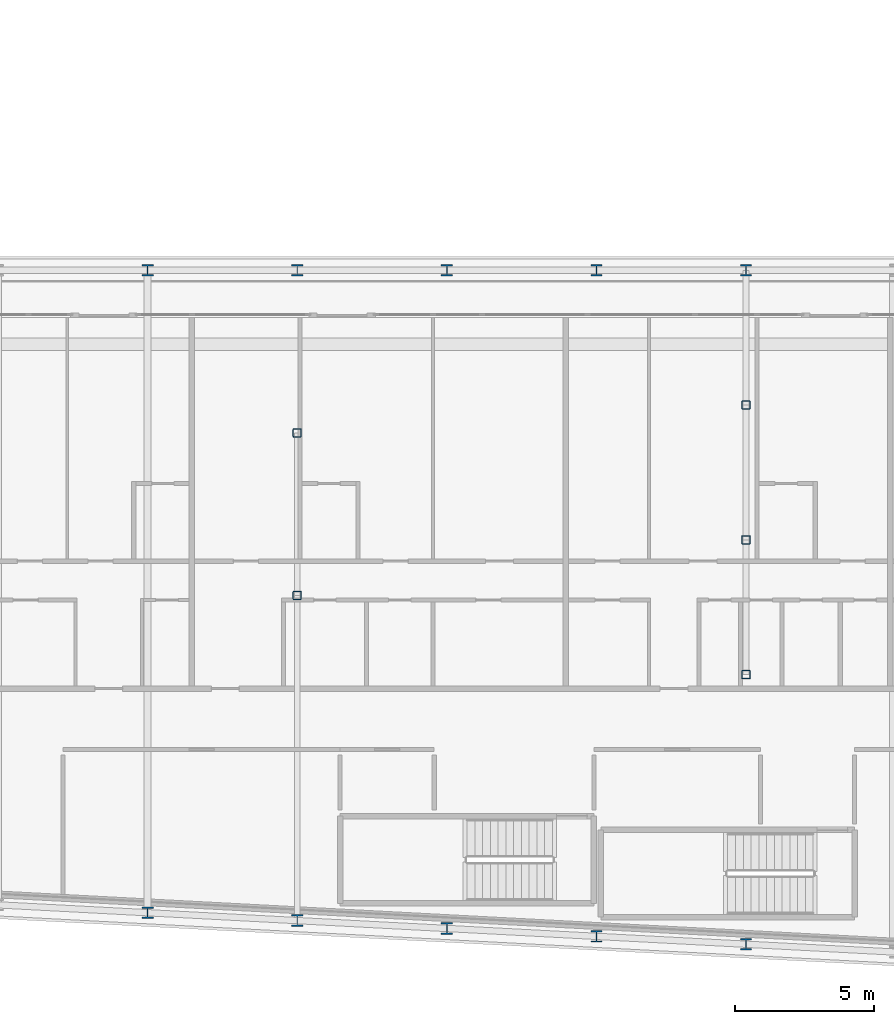
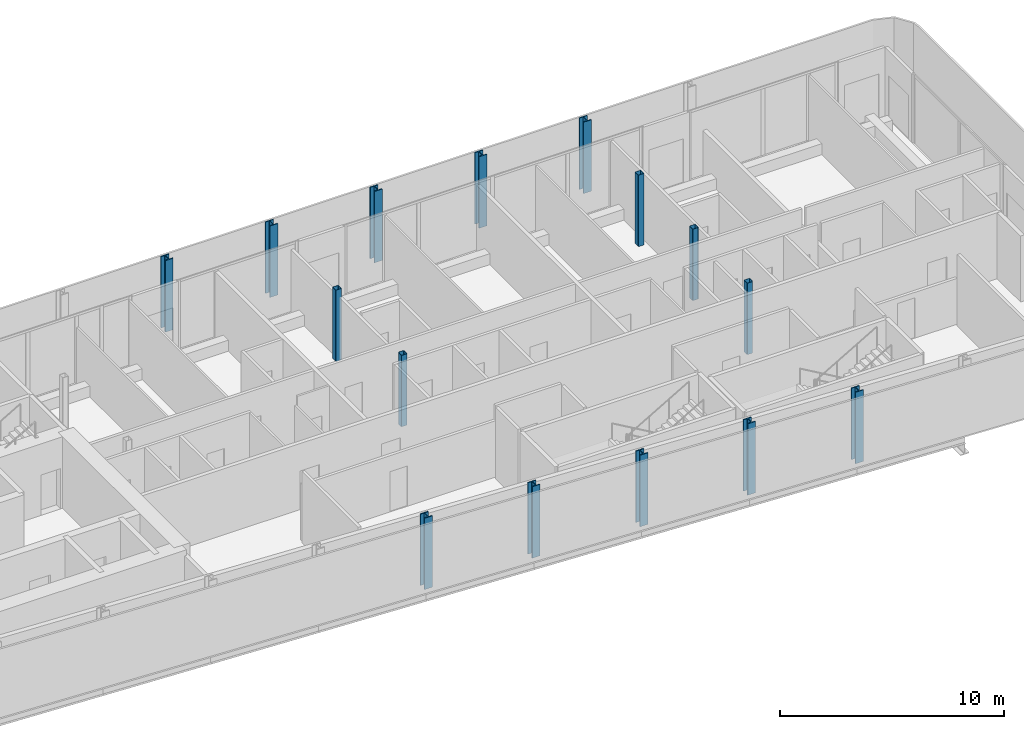
# One storey, part 2 of 29: 15 columns.
"""IFC4 building model written with IfcOpenShell, lengths in metres."""

import ifcopenshell
import ifcopenshell.guid

model = None  # the IFC model being written
_history = None  # IfcOwnerHistory: only IFC2X3 demands one
_inside = {}  # id of a spatial element -> (the spatial element, [elements in it])
_under = {}  # id of a project, library or spatial element -> (it, [spatial elements below it])
_declared = {}  # id of a project -> (the project, [libraries it declares])
_typed = {}  # id of a type object -> (the type object, [elements of that type])
_made_of = {}  # id of a material, layer set ... -> (it, [elements and type objects made of it])


def new_model(schema):
    """Start an empty IFC model of exactly this schema.

    Asked for "IFC4X3", IfcOpenShell would pick the latest addendum, in which some entities
    have other attributes; the version numbers below select the first issue.
    IFC2X3 requires an IfcOwnerHistory on every rooted entity: one is made here for all.
    """
    global model, _history
    if schema == "IFC4X3":
        model = ifcopenshell.file(schema_version=(4, 3, 0, 0))
    else:
        model = ifcopenshell.file(schema=schema)
    _inside.clear()
    _under.clear()
    _declared.clear()
    _typed.clear()
    _made_of.clear()
    _history = None
    if model.schema == "IFC2X3":
        org = make("IfcOrganization", Name="unknown")
        user = make(
            "IfcPersonAndOrganization",
            ThePerson=make("IfcPerson", FamilyName="unknown"),
            TheOrganization=org,
        )
        app = make(
            "IfcApplication",
            ApplicationDeveloper=org,
            Version="unknown",
            ApplicationFullName="unknown",
            ApplicationIdentifier="unknown",
        )
        _history = make(
            "IfcOwnerHistory",
            OwningUser=user,
            OwningApplication=app,
            ChangeAction="ADDED",
            CreationDate=0,
        )
    return model


def make(cls, **values):
    """One entity of the class cls with the attributes given. An attribute that is None is left unset."""
    return model.create_entity(
        cls, **{name: value for name, value in values.items() if value is not None}
    )


def rooted(cls, **values):
    """An entity with a GlobalId (a new one), such as an element, a storey or a relation."""
    return make(cls, GlobalId=ifcopenshell.guid.new(), OwnerHistory=_history, **values)


def si_unit(unit_type, name, prefix=None):
    """IfcSIUnit, for example si_unit("LENGTHUNIT", "METRE", prefix="MILLI")."""
    return make("IfcSIUnit", UnitType=unit_type, Prefix=prefix, Name=name)


def assignment(units):
    """IfcUnitAssignment: the units of a project."""
    return None if units is None else make("IfcUnitAssignment", Units=units)


def point(xyz):
    """IfcCartesianPoint."""
    return None if xyz is None else make("IfcCartesianPoint", Coordinates=xyz)


def direction(xyz):
    """IfcDirection."""
    return None if xyz is None else make("IfcDirection", DirectionRatios=xyz)


def frame(location, z_axis=None, x_axis=None):
    """IfcAxis2Placement3D, a coordinate frame: its origin and axes. An axis left out is left unset."""
    return make(
        "IfcAxis2Placement3D",
        Location=point(location),
        Axis=direction(z_axis),
        RefDirection=direction(x_axis),
    )


def frame_2d(location, x_axis=None):
    """IfcAxis2Placement2D, a coordinate frame in the plane: its origin and x axis."""
    return make(
        "IfcAxis2Placement2D", Location=point(location), RefDirection=direction(x_axis)
    )


def origin():
    """The frame at (0, 0, 0) with its axes left unset."""
    return frame((0.0, 0.0, 0.0))


def origin_2d():
    """The frame at (0, 0) in the plane with its x axis left unset."""
    return frame_2d((0.0, 0.0))


def place(relative_to, where):
    """IfcLocalPlacement: puts the frame where relative to a parent placement (None: the world)."""
    return make(
        "IfcLocalPlacement", PlacementRelTo=relative_to, RelativePlacement=where
    )


def context(
    kind, dimensions, precision=None, world=None, true_north=None, identifier=None
):
    """IfcGeometricRepresentationContext, for example the 3D "Model" context."""
    return make(
        "IfcGeometricRepresentationContext",
        ContextIdentifier=identifier,
        ContextType=kind,
        CoordinateSpaceDimension=dimensions,
        Precision=precision,
        WorldCoordinateSystem=world,
        TrueNorth=true_north,
    )


def subcontext(parent, identifier, kind, view, scale=None):
    """IfcGeometricRepresentationSubContext, for example "Body" below "Model"."""
    return make(
        "IfcGeometricRepresentationSubContext",
        ContextIdentifier=identifier,
        ContextType=kind,
        ParentContext=parent,
        TargetScale=scale,
        TargetView=view,
    )


def project(units=None, contexts=None):
    """IfcProject with its units and contexts."""
    return rooted(
        "IfcProject",
        Name="project",
        RepresentationContexts=contexts,
        UnitsInContext=assignment(units),
    )


def spatial(cls, under=None, at=None, **own):
    """A site, building, storey or space (cls), placed at a placement, below another one or the project."""
    s = rooted(cls, ObjectPlacement=at, **own)
    if under is not None:
        _under.setdefault(under.id(), (under, []))[1].append(s)
    return s


def profile(cls, at=None, kind="AREA", **sizes):
    """A parametric profile (cls). Its sizes go by their IFC names, for example OverallWidth=200.0."""
    return make(cls, ProfileType=kind, Position=at, **sizes)


def hollow_rectangle(**sizes):
    """IfcRectangleHollowProfileDef."""
    return profile("IfcRectangleHollowProfileDef", **sizes)


def i_section(**sizes):
    """IfcIShapeProfileDef."""
    return profile("IfcIShapeProfileDef", **sizes)


def extrude(swept, where, along, depth):
    """IfcExtrudedAreaSolid: the profile swept, set in the frame where, extruded along a direction by depth."""
    return make(
        "IfcExtrudedAreaSolid",
        SweptArea=swept,
        Position=where,
        ExtrudedDirection=direction(along),
        Depth=depth,
    )


def shape(context_of_items, identifier, shape_type, items):
    """IfcShapeRepresentation: the items that make up one representation, for example the "Body"."""
    return make(
        "IfcShapeRepresentation",
        ContextOfItems=context_of_items,
        RepresentationIdentifier=identifier,
        RepresentationType=shape_type,
        Items=items,
    )


def material(Name=None, Category=None):
    """IfcMaterial."""
    return make("IfcMaterial", Name=Name, Category=Category)


def material_profile(
    of_material, cross_section, Name=None, Category=None, Priority=None
):
    """IfcMaterialProfile: a cross section and its material."""
    return make(
        "IfcMaterialProfile",
        Name=Name,
        Material=of_material,
        Profile=cross_section,
        Priority=Priority,
        Category=Category,
    )


def profile_set(profiles, Name=None, composite=None):
    """IfcMaterialProfileSet."""
    return make(
        "IfcMaterialProfileSet",
        Name=Name,
        MaterialProfiles=profiles,
        CompositeProfile=composite,
    )


def made_of(thing, what):
    """Note that an element or type object is made of a material, layer set ...; save() writes the relation."""
    if what is not None:
        _made_of.setdefault(what.id(), (what, []))[1].append(thing)
    return thing


def type_object(cls, material=None, **own):
    """A type object (cls), such as IfcWallType, which elements share."""
    return made_of(rooted(cls, **own), material)


def element(
    cls,
    number,
    at=None,
    inside=None,
    cuts=None,
    type_object=None,
    material=None,
    context=None,
    identifier="Body",
    shape_type=None,
    held_by="IfcProductDefinitionShape",
    body=None,
    shapes=None,
    **own,
):
    """One element of the class cls, such as IfcWall. Its Tag is "e" and its number.

    at: its placement. inside: the storey or other place that contains it. cuts: it is an
    opening in that element (IfcRelVoidsElement). A single representation is given by context,
    identifier, shape_type and body (its items); several are given by shapes. held_by: the class
    of the entity that holds the representations. save() writes the other relations.
    """
    e = rooted(cls, Tag="e%d" % number, ObjectPlacement=at, **own)
    if body is not None:
        shapes = [shape(context, identifier, shape_type, body)]
    if shapes is not None:
        e.Representation = make(held_by, Representations=shapes)
    if inside is not None:
        _inside.setdefault(inside.id(), (inside, []))[1].append(e)
    if cuts is not None:
        rooted(
            "IfcRelVoidsElement", RelatingBuildingElement=cuts, RelatedOpeningElement=e
        )
    if type_object is not None:
        _typed.setdefault(type_object.id(), (type_object, []))[1].append(e)
    return made_of(e, material)


def aggregate(whole, parts):
    """IfcRelAggregates: a whole, such as a stair, and the parts it consists of."""
    return rooted("IfcRelAggregates", RelatingObject=whole, RelatedObjects=parts)


def save(model, path):
    """Write the relations noted so far, then the file.

    IfcRelAggregates (storeys below a building ...), IfcRelContainedInSpatialStructure (elements
    in a storey), IfcRelDefinesByType, IfcRelAssociatesMaterial and IfcRelDeclares: one each for
    every whole, place, type object, material and project.
    """
    for whole, parts in _under.values():
        aggregate(whole, parts)
    for where, things in _inside.values():
        rooted(
            "IfcRelContainedInSpatialStructure",
            RelatedElements=things,
            RelatingStructure=where,
        )
    for kind, things in _typed.values():
        rooted("IfcRelDefinesByType", RelatedObjects=things, RelatingType=kind)
    for what, things in _made_of.values():
        rooted("IfcRelAssociatesMaterial", RelatedObjects=things, RelatingMaterial=what)
    for by, libraries in _declared.values():
        rooted("IfcRelDeclares", RelatingContext=by, RelatedDefinitions=libraries)
    model.write(path)


model = new_model("IFC4")

# Units and contexts
model_context = context("Model", 3, precision=1e-05, world=origin(), true_north=direction((0.0, 1.0)))
body_context = subcontext(model_context, "Body", "Model", "MODEL_VIEW")
ifc_project = project(units=[si_unit("LENGTHUNIT", "METRE"), si_unit("AREAUNIT", "SQUARE_METRE"), si_unit("VOLUMEUNIT", "CUBIC_METRE"), si_unit("PLANEANGLEUNIT", "RADIAN"), si_unit("MASSUNIT", "GRAM", prefix="KILO")], contexts=[model_context])

# Site, building, storey
site_placement = place(None, origin())
site = spatial("IfcSite", under=ifc_project, at=site_placement, CompositionType="ELEMENT")
building_placement = place(site_placement, origin())
building = spatial("IfcBuilding", under=site, at=building_placement, Name="Kheshtan School and Residences Tower", CompositionType="ELEMENT")
storey_placement = place(building_placement, frame((0.0, 0.0, 183.800048828125)))
storey = spatial("IfcBuildingStorey", under=building, at=storey_placement, Name="L43", CompositionType="ELEMENT", Elevation=183.800048828125)

# Columns
ifc_material_1 = material(Name="Steel ASTM A992 Grade 50", Category="steel")
ifc_material_profile_1 = material_profile(ifc_material_1, i_section(OverallWidth=0.408935546875, OverallDepth=0.425048828125, WebThickness=0.03271484375, FlangeThickness=0.052490234375, FilletRadius=0.0126953125, at=origin_2d()), Name="W360x421")
ifc_profile_set_1 = profile_set([ifc_material_profile_1], Name="Steel ASTM A992 Grade 50")
column_type_1 = type_object("IfcColumnType", Name="Column C3 W360x421 ASTM A992 Grade 50", PredefinedType="COLUMN", material=ifc_profile_set_1)
for number, where, z_axis, x_axis, name in (
    (1, (85.39990234375, 21.27392578125, 0.0), (0.0, 0.0, 1.0), (1.0, 0.0, 0.0), "Column C008"),
    (2, (80.0, 21.55810546875, 0.0), (0.0, 0.0, 1.0), (1.0, 0.0, 0.0), "Column C012"),
    (3, (74.60009765625, 21.843017578125, 0.0), (0.0, 0.0, 1.0), (1.0, 0.0, 0.0), "Column C013"),
    (4, (69.199951171875, 22.126953125, 0.0), (0.0, 0.0, 1.0), (1.0, 0.0, 0.0), "Column C014"),
    (5, (63.800048828125, 22.410888671875, 0.0), (0.0, 0.0, 1.0), (1.0, 0.0, 0.0), "Column C016"),
    (6, (63.800048828125, 45.60009765625, 0.0), (0.0, 0.0, 1.0), (1.0, 0.0, 0.0), "Column C063"),
    (7, (69.199951171875, 45.60009765625, 0.0), (0.0, 0.0, 1.0), (1.0, 0.0, 0.0), "Column C064"),
    (8, (74.60009765625, 45.60009765625, 0.0), (0.0, 0.0, 1.0), (1.0, 0.0, 0.0), "Column C065"),
    (9, (80.0, 45.60009765625, 0.0), (0.0, 0.0, 1.0), (1.0, 0.0, 0.0), "Column C066"),
    (10, (85.39990234375, 45.60009765625, 0.0), (0.0, 0.0, 1.0), (1.0, 0.0, 0.0), "Column C067"),
):
    element("IfcColumn", number, at=place(storey_placement, frame(where, z_axis=z_axis, x_axis=x_axis)), inside=storey, type_object=column_type_1, Name=name, PredefinedType="COLUMN", context=body_context, shape_type="SweptSolid", body=[
        extrude(i_section(OverallWidth=0.408935546875, OverallDepth=0.425048828125, WebThickness=0.03271484375, FlangeThickness=0.052490234375, FilletRadius=0.0126953125, at=origin_2d()), origin(), (0.0, 0.0, 1.0), 3.89990234375),
    ])
ifc_material_2 = material(Name="Steel ASTM A500 Grade C", Category="steel")
ifc_material_profile_2 = material_profile(ifc_material_2, hollow_rectangle(XDim=0.304931640625, YDim=0.304931640625, WallThickness=0.015869140625, InnerFilletRadius=0.015869140625, OuterFilletRadius=0.03173828125, at=origin_2d()), Name="HSS 305x305x15.9")
ifc_profile_set_2 = profile_set([ifc_material_profile_2], Name="Steel ASTM A500 Grade C")
column_type_2 = type_object("IfcColumnType", Name="Column IC2 HSS 305x305x15.9 ASTM A500 Grade C", PredefinedType="COLUMN", material=ifc_profile_set_2)
for number, where, z_axis, x_axis, name in (
    (11, (85.39990234375, 31.0048828125, 0.0), (0.0, 0.0, 1.0), (1.0, 0.0, 0.0), "Column C049"),
    (12, (69.199951171875, 33.863037109375, 0.0), (0.0, 0.0, 1.0), (1.0, 0.0, 0.0), "Column C050"),
    (13, (85.39990234375, 35.8701171875, 0.0), (0.0, 0.0, 1.0), (1.0, 0.0, 0.0), "Column C053"),
    (14, (69.199951171875, 39.73193359375, 0.0), (0.0, 0.0, 1.0), (1.0, 0.0, 0.0), "Column C054"),
    (15, (85.39990234375, 40.735107421875, 0.0), (0.0, 0.0, 1.0), (1.0, 0.0, 0.0), "Column C057"),
):
    element("IfcColumn", number, at=place(storey_placement, frame(where, z_axis=z_axis, x_axis=x_axis)), inside=storey, type_object=column_type_2, Name=name, PredefinedType="COLUMN", context=body_context, shape_type="SweptSolid", body=[
        extrude(hollow_rectangle(XDim=0.304931640625, YDim=0.304931640625, WallThickness=0.015869140625, InnerFilletRadius=0.015869140625, OuterFilletRadius=0.03173828125, at=origin_2d()), origin(), (0.0, 0.0, 1.0), 3.89990234375),
    ])

save(model, "model.ifc")
